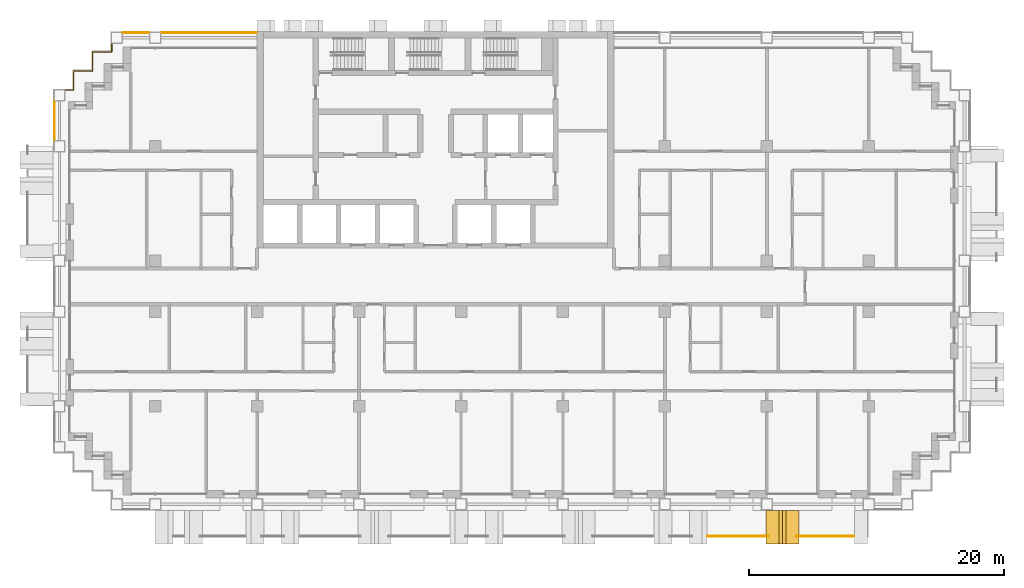
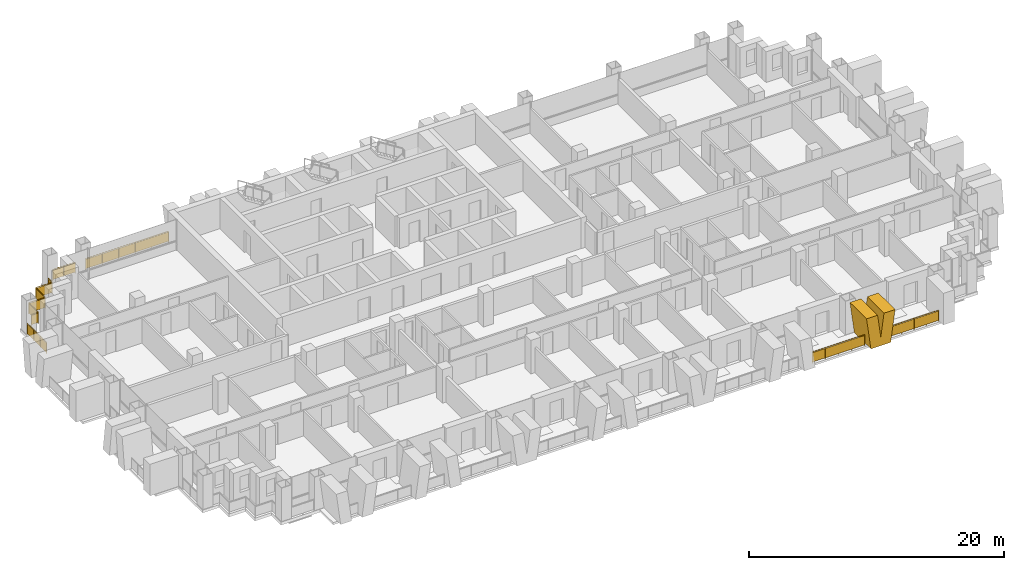
# One storey, part 15 of 17: 6 railings, 1 shading device.
"""IFC4 building model written with IfcOpenShell, lengths in metres."""

from ifc_helpers import new_model, si_unit, direction, frame, origin, origin_2d, place, context, subcontext, project, spatial, polyline, rectangle, circle, outline, extrude, material, layer, layer_set, type_object, element, save


model = new_model("IFC4")

# Units and contexts
model_context = context("Model", 3, precision=1e-05, world=origin(), true_north=direction((0.0, 1.0)))
body_context = subcontext(model_context, "Body", "Model", "MODEL_VIEW")
ifc_project = project(units=[si_unit("LENGTHUNIT", "METRE"), si_unit("AREAUNIT", "SQUARE_METRE"), si_unit("VOLUMEUNIT", "CUBIC_METRE"), si_unit("PLANEANGLEUNIT", "RADIAN"), si_unit("MASSUNIT", "GRAM", prefix="KILO")], contexts=[model_context])

# Site, building, storey
site_placement = place(None, origin())
site = spatial("IfcSite", under=ifc_project, at=site_placement, CompositionType="ELEMENT")
building_placement = place(site_placement, origin())
building = spatial("IfcBuilding", under=site, at=building_placement, Name="Vidyagriha Tower", CompositionType="ELEMENT")
storey_placement = place(building_placement, frame((0.0, 0.0, 96.699951171875)))
storey = spatial("IfcBuildingStorey", under=building, at=storey_placement, Name="L25", CompositionType="ELEMENT", Elevation=96.699951171875)

# Railings
ifc_material_1 = material(Name="Steel ASTM A500 Grade C black painted", Category="steel")
railing_type_1 = type_object("IfcRailingType", Name="Balcony guard 1100", PredefinedType="BALUSTRADE", material=ifc_material_1)
railing_1_placement = place(storey_placement, frame((21.35498046875, -19.60009765625, 0.0)))
element("IfcRailing", 1, at=railing_1_placement, inside=storey, type_object=railing_type_1, Name="Balcony guard L25 R23.1-10", PredefinedType="BALUSTRADE", context=body_context, shape_type="SweptSolid", body=[
    extrude(circle(Radius=0.02490234375, at=origin_2d()), frame((0.0, 0.0, 1.0751953125), z_axis=(1.0, 0.0, 0.0), x_axis=(0.0, 1.0, 0.0)), (0.0, 0.0, 1.0), 4.773681640625),
    extrude(circle(Radius=0.02001953125, at=origin_2d()), origin(), (0.0, 0.0, 1.0), 1.050048828125),
    extrude(circle(Radius=0.02001953125, at=origin_2d()), frame((1.193359375, 0.0, 0.0)), (0.0, 0.0, 1.0), 1.050048828125),
    extrude(circle(Radius=0.02001953125, at=origin_2d()), frame((2.38671875, 0.0, 0.0)), (0.0, 0.0, 1.0), 1.050048828125),
    extrude(circle(Radius=0.02001953125, at=origin_2d()), frame((3.580322265625, 0.0, 0.0)), (0.0, 0.0, 1.0), 1.050048828125),
    extrude(circle(Radius=0.02001953125, at=origin_2d()), frame((4.773681640625, 0.0, 0.0)), (0.0, 0.0, 1.0), 1.050048828125),
    extrude(rectangle(XDim=0.010009765625, YDim=0.900146484375, at=origin_2d()), frame((0.0, 0.0, 0.550048828125), z_axis=(1.0, 0.0, 0.0), x_axis=(0.0, 1.0, 0.0)), (0.0, 0.0, 1.0), 4.773681640625),
])
railing_2_placement = place(storey_placement, frame((28.321533203125, -19.60009765625, 0.0)))
element("IfcRailing", 2, at=railing_2_placement, inside=storey, type_object=railing_type_1, Name="Balcony guard L25 R23.1-11", PredefinedType="BALUSTRADE", context=body_context, shape_type="SweptSolid", body=[
    extrude(circle(Radius=0.02490234375, at=origin_2d()), frame((0.0, 0.0, 1.0751953125), z_axis=(1.0, 0.0, 0.0), x_axis=(0.0, 1.0, 0.0)), (0.0, 0.0, 1.0), 4.50341796875),
    extrude(circle(Radius=0.02001953125, at=origin_2d()), origin(), (0.0, 0.0, 1.0), 1.050048828125),
    extrude(circle(Radius=0.02001953125, at=origin_2d()), frame((1.1259765625, 0.0, 0.0)), (0.0, 0.0, 1.0), 1.050048828125),
    extrude(circle(Radius=0.02001953125, at=origin_2d()), frame((2.251708984375, 0.0, 0.0)), (0.0, 0.0, 1.0), 1.050048828125),
    extrude(circle(Radius=0.02001953125, at=origin_2d()), frame((3.37744140625, 0.0, 0.0)), (0.0, 0.0, 1.0), 1.050048828125),
    extrude(circle(Radius=0.02001953125, at=origin_2d()), frame((4.50341796875, 0.0, 0.0)), (0.0, 0.0, 1.0), 1.050048828125),
    extrude(rectangle(XDim=0.010009765625, YDim=0.900146484375, at=origin_2d()), frame((0.0, 0.0, 0.550048828125), z_axis=(1.0, 0.0, 0.0), x_axis=(0.0, 1.0, 0.0)), (0.0, 0.0, 1.0), 4.50341796875),
])

# Shading device
ifc_material_2 = material(Name="Precast concrete C40/50 with buff brick facing", Category="concrete")
ifc_layer = layer(ifc_material_2, 1.0)
ifc_layer_set = layer_set([ifc_layer], Name="Precast concrete C40/50 with buff brick facing")
shading_device_type = type_object("IfcShadingDeviceType", Name="Brick-faced blade fin forking 8 degrees", PredefinedType="USERDEFINED", material=ifc_layer_set)
shading_device_placement = place(storey_placement, frame((25.93505859375, -18.89990234375, 0.0)))
element("IfcShadingDevice", 3, at=shading_device_placement, inside=storey, type_object=shading_device_type, Name="Forked blade fin L25 R23.4990a", ObjectType="BLADE FIN", PredefinedType="USERDEFINED", context=body_context, shape_type="SweptSolid", body=[
    extrude(outline(polyline([(0.39501953125, 0.0), (2.18505859375, 0.0), (2.580078125, 3.0), (1.580078125, 3.0), (1.2900390625, 0.797607421875), (1.0, 3.0), (0.0, 3.0), (0.39501953125, 0.0)])), frame((0.0, 1.300048828125, 0.0), z_axis=(0.0, -1.0, 0.0), x_axis=(1.0, 0.0, 0.0)), (0.0, 0.0, 1.0), 2.60009765625),
])

# Railings
ifc_material_3 = material(Name="Steel ASTM A500 Grade C black painted", Category="steel")
railing_type_2 = type_object("IfcRailingType", Name="Gallery guard 1100", PredefinedType="GUARDRAIL", material=ifc_material_3)
railing_3_placement = place(storey_placement, frame((-29.89990234375, 11.47998046875, 0.0)))
element("IfcRailing", 4, at=railing_3_placement, inside=storey, type_object=railing_type_2, Name="Gallery guard L25 3", PredefinedType="GUARDRAIL", context=body_context, shape_type="SweptSolid", body=[
    extrude(circle(Radius=0.02490234375, at=origin_2d()), frame((0.0, 0.0, 1.0751953125), z_axis=(0.0, 1.0, 0.0), x_axis=(-1.0, 0.0, 0.0)), (0.0, 0.0, 1.0), 3.0400390625),
    extrude(circle(Radius=0.02001953125, at=origin_2d()), origin(), (0.0, 0.0, 1.0), 1.050048828125),
    extrude(circle(Radius=0.02001953125, at=origin_2d()), frame((0.0, 1.013427734375, 0.0)), (0.0, 0.0, 1.0), 1.050048828125),
    extrude(circle(Radius=0.02001953125, at=origin_2d()), frame((0.0, 2.026611328125, 0.0)), (0.0, 0.0, 1.0), 1.050048828125),
    extrude(circle(Radius=0.02001953125, at=origin_2d()), frame((0.0, 3.0400390625, 0.0)), (0.0, 0.0, 1.0), 1.050048828125),
    extrude(rectangle(XDim=0.010009765625, YDim=0.900146484375, at=origin_2d()), frame((0.0, 0.0, 0.550048828125), z_axis=(0.0, 1.0, 0.0), x_axis=(-1.0, 0.0, 0.0)), (0.0, 0.0, 1.0), 3.0400390625),
])
railing_4_placement = place(storey_placement, frame((-29.02001953125, 15.39990234375, 0.0)))
element("IfcRailing", 5, at=railing_4_placement, inside=storey, type_object=railing_type_2, Name="Gallery guard L25 5", PredefinedType="GUARDRAIL", context=body_context, shape_type="SweptSolid", body=[
    extrude(circle(Radius=0.02490234375, at=origin_2d()), frame((0.0, 0.0, 1.0751953125), z_axis=(1.0, 0.0, 0.0), x_axis=(0.0, 1.0, 0.0)), (0.0, 0.0, 1.0), 0.6201171875),
    extrude(circle(Radius=0.02490234375, at=origin_2d()), frame((0.6201171875, 0.0, 1.0751953125), z_axis=(0.0, 1.0, 0.0), x_axis=(-1.0, 0.0, 0.0)), (0.0, 0.0, 1.0), 1.5),
    extrude(circle(Radius=0.02490234375, at=origin_2d()), frame((0.6201171875, 1.5, 1.0751953125), z_axis=(1.0, 0.0, 0.0), x_axis=(0.0, 1.0, 0.0)), (0.0, 0.0, 1.0), 1.5),
    extrude(circle(Radius=0.02490234375, at=origin_2d()), frame((2.1201171875, 1.5, 1.0751953125), z_axis=(0.0, 1.0, 0.0), x_axis=(-1.0, 0.0, 0.0)), (0.0, 0.0, 1.0), 1.5),
    extrude(circle(Radius=0.02490234375, at=origin_2d()), frame((2.1201171875, 3.0, 1.0751953125), z_axis=(1.0, 0.0, 0.0), x_axis=(0.0, 1.0, 0.0)), (0.0, 0.0, 1.0), 1.5),
    extrude(circle(Radius=0.02490234375, at=origin_2d()), frame((3.6201171875, 3.0, 1.0751953125), z_axis=(0.0, 1.0, 0.0), x_axis=(-1.0, 0.0, 0.0)), (0.0, 0.0, 1.0), 0.6201171875),
    extrude(circle(Radius=0.02001953125, at=origin_2d()), origin(), (0.0, 0.0, 1.0), 1.050048828125),
    extrude(circle(Radius=0.02001953125, at=origin_2d()), frame((0.6201171875, 0.0, 0.0)), (0.0, 0.0, 1.0), 1.050048828125),
    extrude(circle(Radius=0.02001953125, at=origin_2d()), frame((0.6201171875, 1.5, 0.0)), (0.0, 0.0, 1.0), 1.050048828125),
    extrude(circle(Radius=0.02001953125, at=origin_2d()), frame((2.1201171875, 1.5, 0.0)), (0.0, 0.0, 1.0), 1.050048828125),
    extrude(circle(Radius=0.02001953125, at=origin_2d()), frame((2.1201171875, 3.0, 0.0)), (0.0, 0.0, 1.0), 1.050048828125),
    extrude(circle(Radius=0.02001953125, at=origin_2d()), frame((3.6201171875, 3.0, 0.0)), (0.0, 0.0, 1.0), 1.050048828125),
    extrude(circle(Radius=0.02001953125, at=origin_2d()), frame((3.6201171875, 3.6201171875, 0.0)), (0.0, 0.0, 1.0), 1.050048828125),
    extrude(rectangle(XDim=0.010009765625, YDim=0.900146484375, at=origin_2d()), frame((0.0, 0.0, 0.550048828125), z_axis=(1.0, 0.0, 0.0), x_axis=(0.0, 1.0, 0.0)), (0.0, 0.0, 1.0), 0.6201171875),
    extrude(rectangle(XDim=0.010009765625, YDim=0.900146484375, at=origin_2d()), frame((0.6201171875, 0.0, 0.550048828125), z_axis=(0.0, 1.0, 0.0), x_axis=(-1.0, 0.0, 0.0)), (0.0, 0.0, 1.0), 1.5),
    extrude(rectangle(XDim=0.010009765625, YDim=0.900146484375, at=origin_2d()), frame((0.6201171875, 1.5, 0.550048828125), z_axis=(1.0, 0.0, 0.0), x_axis=(0.0, 1.0, 0.0)), (0.0, 0.0, 1.0), 1.5),
    extrude(rectangle(XDim=0.010009765625, YDim=0.900146484375, at=origin_2d()), frame((2.1201171875, 1.5, 0.550048828125), z_axis=(0.0, 1.0, 0.0), x_axis=(-1.0, 0.0, 0.0)), (0.0, 0.0, 1.0), 1.5),
    extrude(rectangle(XDim=0.010009765625, YDim=0.900146484375, at=origin_2d()), frame((2.1201171875, 3.0, 0.550048828125), z_axis=(1.0, 0.0, 0.0), x_axis=(0.0, 1.0, 0.0)), (0.0, 0.0, 1.0), 1.5),
    extrude(rectangle(XDim=0.010009765625, YDim=0.900146484375, at=origin_2d()), frame((3.6201171875, 3.0, 0.550048828125), z_axis=(0.0, 1.0, 0.0), x_axis=(-1.0, 0.0, 0.0)), (0.0, 0.0, 1.0), 0.6201171875),
])
railing_5_placement = place(storey_placement, frame((-24.52001953125, 19.89990234375, 0.0)))
element("IfcRailing", 6, at=railing_5_placement, inside=storey, type_object=railing_type_2, Name="Gallery guard L25 7", PredefinedType="GUARDRAIL", context=body_context, shape_type="SweptSolid", body=[
    extrude(circle(Radius=0.02490234375, at=origin_2d()), frame((0.0, 0.0, 1.0751953125), z_axis=(1.0, 0.0, 0.0), x_axis=(0.0, 1.0, 0.0)), (0.0, 0.0, 1.0), 2.0400390625),
    extrude(circle(Radius=0.02001953125, at=origin_2d()), origin(), (0.0, 0.0, 1.0), 1.050048828125),
    extrude(circle(Radius=0.02001953125, at=origin_2d()), frame((1.02001953125, 0.0, 0.0)), (0.0, 0.0, 1.0), 1.050048828125),
    extrude(circle(Radius=0.02001953125, at=origin_2d()), frame((2.0400390625, 0.0, 0.0)), (0.0, 0.0, 1.0), 1.050048828125),
    extrude(rectangle(XDim=0.010009765625, YDim=0.900146484375, at=origin_2d()), frame((0.0, 0.0, 0.550048828125), z_axis=(1.0, 0.0, 0.0), x_axis=(0.0, 1.0, 0.0)), (0.0, 0.0, 1.0), 2.0400390625),
])
railing_6_placement = place(storey_placement, frame((-21.52001953125, 19.89990234375, 0.0)))
element("IfcRailing", 7, at=railing_6_placement, inside=storey, type_object=railing_type_2, Name="Gallery guard L25 8", PredefinedType="GUARDRAIL", context=body_context, shape_type="SweptSolid", body=[
    extrude(circle(Radius=0.02490234375, at=origin_2d()), frame((0.0, 0.0, 1.0751953125), z_axis=(1.0, 0.0, 0.0), x_axis=(0.0, 1.0, 0.0)), (0.0, 0.0, 1.0), 7.489990234375),
    extrude(circle(Radius=0.02001953125, at=origin_2d()), origin(), (0.0, 0.0, 1.0), 1.050048828125),
    extrude(circle(Radius=0.02001953125, at=origin_2d()), frame((1.498046875, 0.0, 0.0)), (0.0, 0.0, 1.0), 1.050048828125),
    extrude(circle(Radius=0.02001953125, at=origin_2d()), frame((2.99609375, 0.0, 0.0)), (0.0, 0.0, 1.0), 1.050048828125),
    extrude(circle(Radius=0.02001953125, at=origin_2d()), frame((4.493896484375, 0.0, 0.0)), (0.0, 0.0, 1.0), 1.050048828125),
    extrude(circle(Radius=0.02001953125, at=origin_2d()), frame((5.991943359375, 0.0, 0.0)), (0.0, 0.0, 1.0), 1.050048828125),
    extrude(circle(Radius=0.02001953125, at=origin_2d()), frame((7.489990234375, 0.0, 0.0)), (0.0, 0.0, 1.0), 1.050048828125),
    extrude(rectangle(XDim=0.010009765625, YDim=0.900146484375, at=origin_2d()), frame((0.0, 0.0, 0.550048828125), z_axis=(1.0, 0.0, 0.0), x_axis=(0.0, 1.0, 0.0)), (0.0, 0.0, 1.0), 7.489990234375),
])

save(model, "model.ifc")
